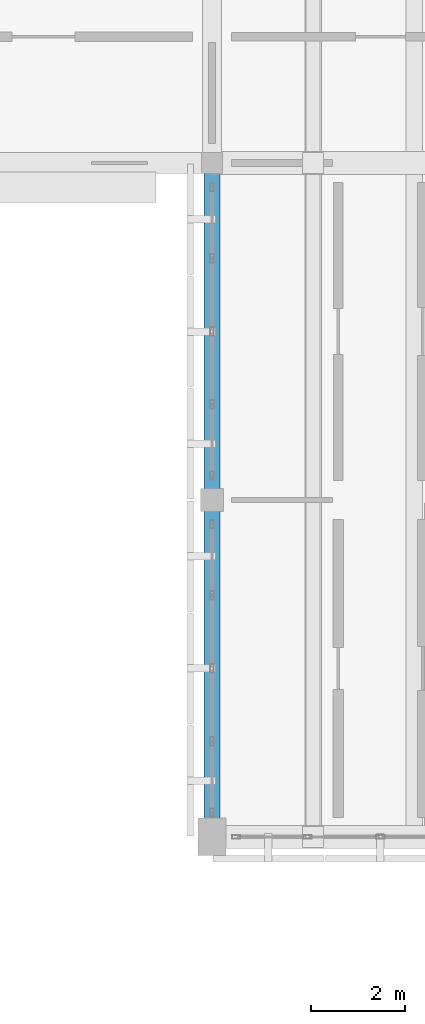
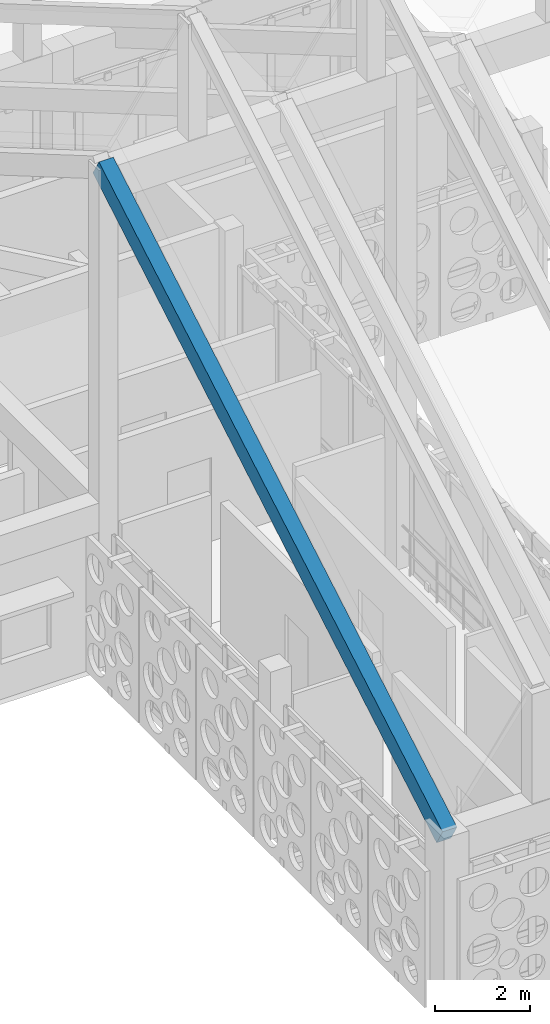
# One storey, part 16 of 171: 1 beam.
"""IFC4 building model written with IfcOpenShell, lengths in metres."""

from ifc_helpers import new_model, si_unit, direction, frame, origin, origin_2d, place, context, subcontext, project, spatial, rectangle, extrude, material, material_profile, profile_set, type_object, element, save


model = new_model("IFC4")

# Units and contexts
model_context = context("Model", 3, precision=1e-05, world=origin(), true_north=direction((0.0, 1.0)))
body_context = subcontext(model_context, "Body", "Model", "MODEL_VIEW")
ifc_project = project(units=[si_unit("LENGTHUNIT", "METRE"), si_unit("AREAUNIT", "SQUARE_METRE"), si_unit("VOLUMEUNIT", "CUBIC_METRE"), si_unit("PLANEANGLEUNIT", "RADIAN"), si_unit("MASSUNIT", "GRAM", prefix="KILO")], contexts=[model_context])

# Site, building, storey
site_placement = place(None, origin())
site = spatial("IfcSite", under=ifc_project, at=site_placement, CompositionType="ELEMENT")
building_placement = place(site_placement, origin())
building = spatial("IfcBuilding", under=site, at=building_placement, Name="Aldebral Square Health Centre", CompositionType="ELEMENT")
storey_placement = place(building_placement, frame((0.0, 0.0, 4.5)))
storey = spatial("IfcBuildingStorey", under=building, at=storey_placement, Name="L01", CompositionType="ELEMENT", Elevation=4.5)

# Beam
ifc_material = material(Name="Concrete C40/50", Category="concrete")
ifc_material_profile = material_profile(ifc_material, rectangle(XDim=0.35009765625, YDim=0.5, at=origin_2d()), Name="RC 350x500")
ifc_profile_set = profile_set([ifc_material_profile], Name="Concrete C40/50")
beam_type = type_object("IfcBeamType", Name="BM-SP1", PredefinedType="SPANDREL", material=ifc_profile_set)
beam_placement = place(storey_placement, frame((64.800048828125, 72.0, 4.25), z_axis=(0.0, 0.863779963214, 0.503869204407), x_axis=(-1.0, 0.0, 0.0)))
element("IfcBeam", 1, at=beam_placement, inside=storey, type_object=beam_type, Name="Folded-plate south valley beam 1", PredefinedType="SPANDREL", context=body_context, shape_type="SweptSolid", body=[
    extrude(rectangle(XDim=0.35009765625, YDim=0.5, at=origin_2d()), origin(), (0.0, 0.0, 1.0), 16.6708984375),
])

save(model, "model.ifc")
